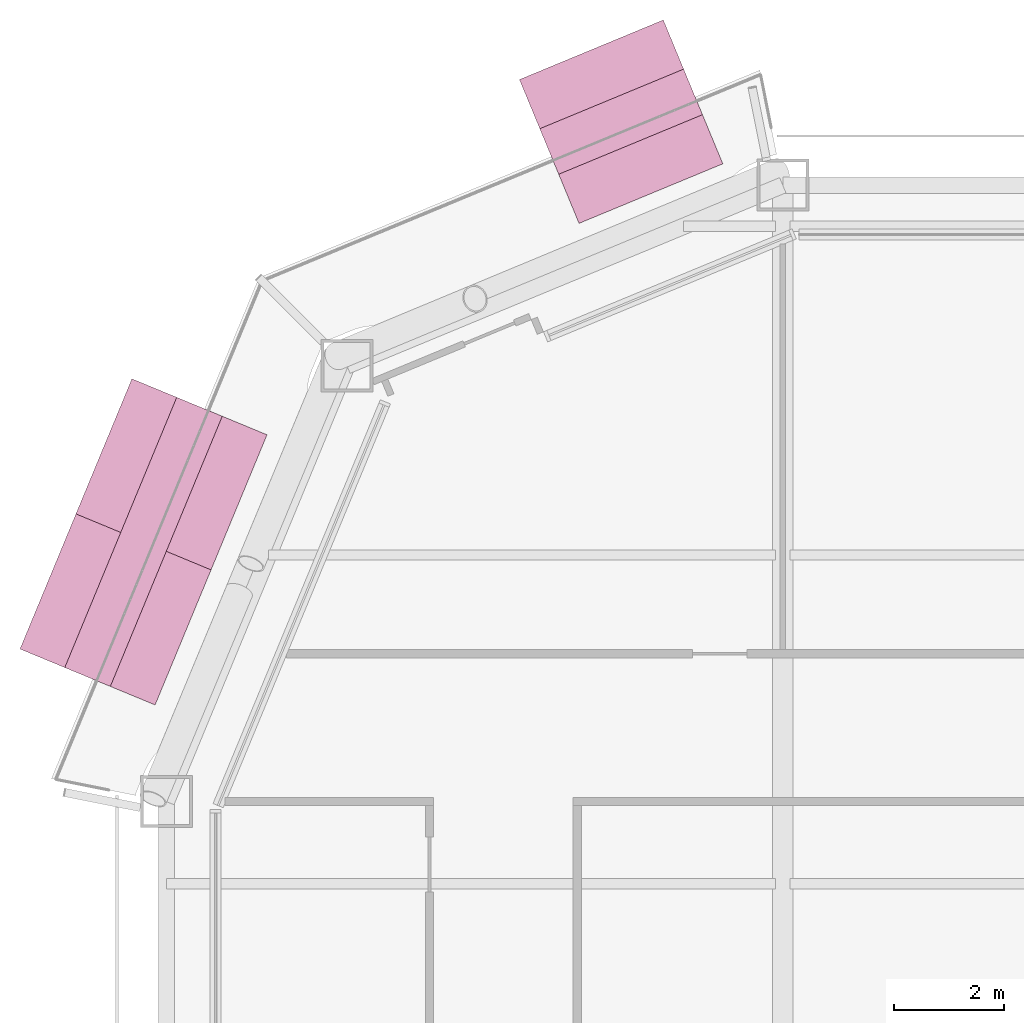
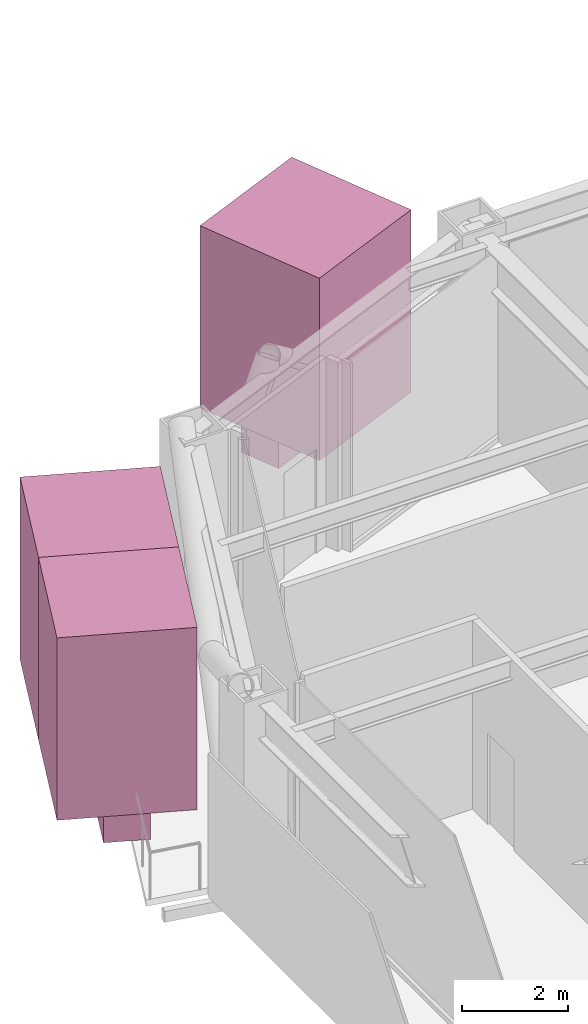
# One storey, part 23 of 23: 5 furnishings.
"""IFC4 building model written with IfcOpenShell, lengths in metres."""

from ifc_helpers import new_model, si_unit, direction, frame, origin, origin_2d, place, context, subcontext, project, spatial, rectangle, extrude, material, type_object, element, save


model = new_model("IFC4")

# Units and contexts
model_context = context("Model", 3, precision=1e-05, world=origin(), true_north=direction((0.0, 1.0)))
body_context = subcontext(model_context, "Body", "Model", "MODEL_VIEW")
ifc_project = project(units=[si_unit("LENGTHUNIT", "METRE"), si_unit("AREAUNIT", "SQUARE_METRE"), si_unit("VOLUMEUNIT", "CUBIC_METRE"), si_unit("PLANEANGLEUNIT", "RADIAN"), si_unit("MASSUNIT", "GRAM", prefix="KILO")], contexts=[model_context])

# Site, building, storey
site_placement = place(None, origin())
site = spatial("IfcSite", under=ifc_project, at=site_placement, CompositionType="ELEMENT")
building_placement = place(site_placement, origin())
building = spatial("IfcBuilding", under=site, at=building_placement, Name="Siwar Civic Tower", CompositionType="ELEMENT")
storey_placement = place(building_placement, frame((0.0, 0.0, 118.199951171875)))
storey = spatial("IfcBuildingStorey", under=building, at=storey_placement, Name="L25", CompositionType="ELEMENT", Elevation=118.199951171875)

# Furnishings
ifc_material_1 = material(Name="Planting soil and foliage")
furnishing_element_type_1 = type_object("IfcFurnishingElementType", Name="ENV-PLANTER", material=ifc_material_1)
furnishing_1_placement = place(storey_placement, frame((-20.949951171875, 30.409423828125, 0.0), z_axis=(0.0, 0.0, 1.0), x_axis=(-0.923879532511, -0.382683432365, 0.0)))
element("IfcFurnishingElement", 1, at=furnishing_1_placement, inside=storey, type_object=furnishing_element_type_1, Name="PLANTER NW 1", context=body_context, shape_type="SweptSolid", body=[
    extrude(rectangle(XDim=2.84130859375, YDim=0.89990234375, at=origin_2d()), origin(), (0.0, 0.0, 1.0), 0.60009765625),
])
furnishing_2_placement = place(storey_placement, frame((-29.66796875, 22.73974609375, 0.0), z_axis=(0.0, 0.0, 1.0), x_axis=(-0.382683432365, -0.923879532511, 0.0)))
element("IfcFurnishingElement", 2, at=furnishing_2_placement, inside=storey, type_object=furnishing_element_type_1, Name="PLANTER NW 2", context=body_context, shape_type="SweptSolid", body=[
    extrude(rectangle(XDim=5.33837890625, YDim=0.89990234375, at=origin_2d()), origin(), (0.0, 0.0, 1.0), 0.60009765625),
])
ifc_material_2 = material(Name="Planting soil and foliage")
furnishing_element_type_2 = type_object("IfcFurnishingElementType", Name="ENV-TREE", material=ifc_material_2)
furnishing_3_placement = place(storey_placement, frame((-20.949951171875, 30.409423828125, 0.60009765625), z_axis=(0.0, 0.0, 1.0), x_axis=(-0.923879532511, -0.382683432365, 0.0)))
element("IfcFurnishingElement", 3, at=furnishing_3_placement, inside=storey, type_object=furnishing_element_type_2, Name="PLANTER (TREE) NW 1.1", context=body_context, shape_type="SweptSolid", body=[
    extrude(rectangle(XDim=2.84130859375, YDim=2.84130859375, at=origin_2d()), origin(), (0.0, 0.0, 1.0), 4.199951171875),
])
for number, where, z_axis, x_axis, name in (
    (4, (-29.1572265625, 23.972900390625, 0.60009765625), (0.0, 0.0, 1.0), (-0.382683432365, -0.923879532511, 0.0), "PLANTER (TREE) NW 2.1"),
    (5, (-30.1787109375, 21.5068359375, 0.60009765625), (0.0, 0.0, 1.0), (-0.382683432365, -0.923879532511, 0.0), "PLANTER (TREE) NW 2.2"),
):
    element("IfcFurnishingElement", number, at=place(storey_placement, frame(where, z_axis=z_axis, x_axis=x_axis)), inside=storey, type_object=furnishing_element_type_2, Name=name, context=body_context, shape_type="SweptSolid", body=[
        extrude(rectangle(XDim=2.669189453125, YDim=2.669189453125, at=origin_2d()), origin(), (0.0, 0.0, 1.0), 4.199951171875),
    ])

save(model, "model.ifc")
